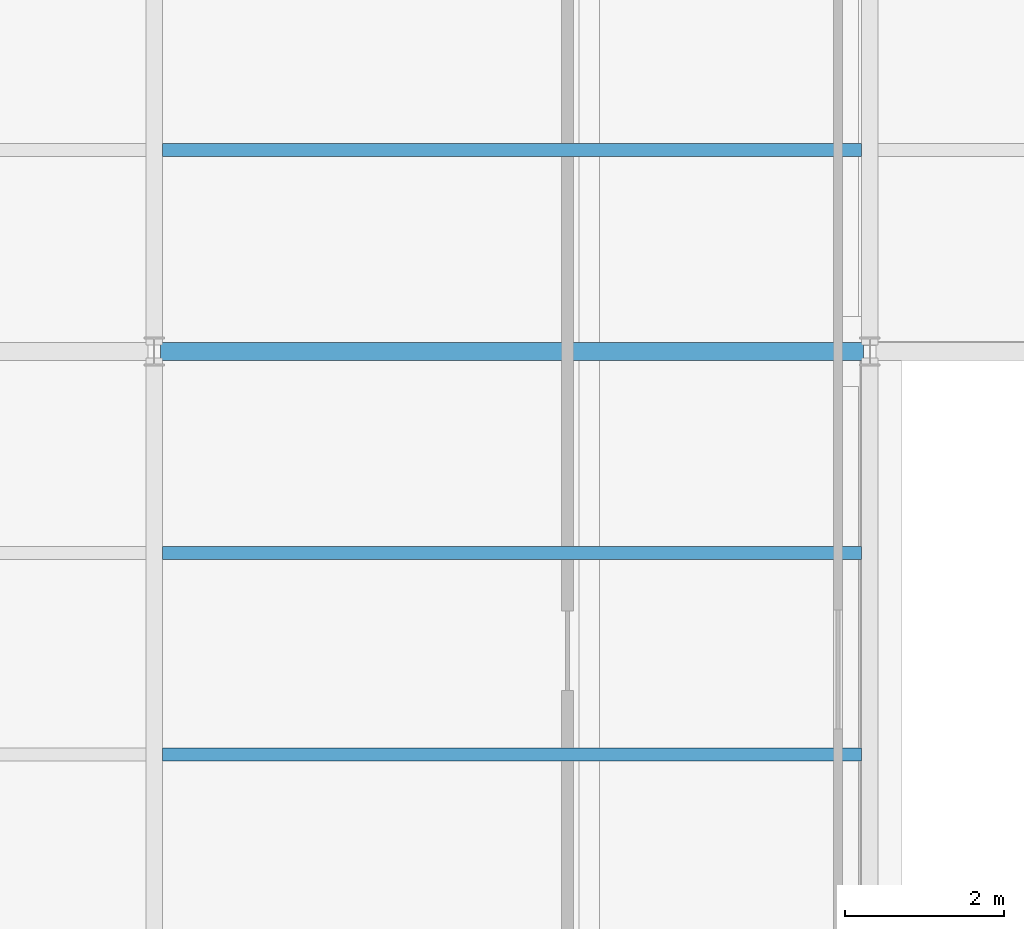
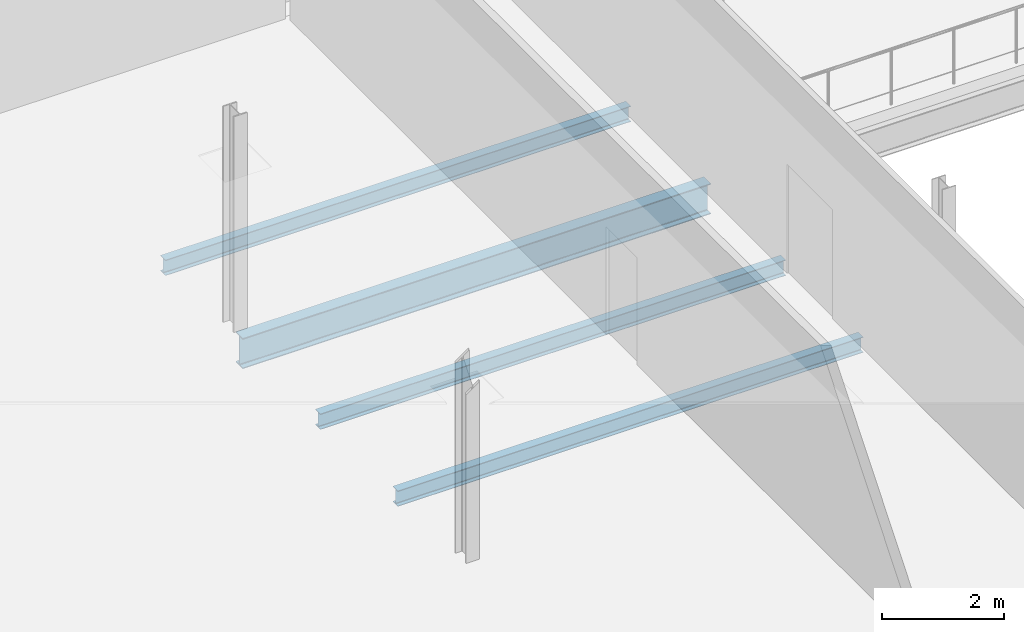
# One storey, part 41 of 174: 4 beams.
"""IFC4 building model written with IfcOpenShell, lengths in metres."""

from ifc_helpers import new_model, si_unit, direction, frame, origin, origin_2d, place, context, subcontext, project, spatial, i_section, extrude, material, material_profile, profile_set, type_object, element, save


model = new_model("IFC4")

# Units and contexts
model_context = context("Model", 3, precision=1e-05, world=origin(), true_north=direction((0.0, 1.0)))
body_context = subcontext(model_context, "Body", "Model", "MODEL_VIEW")
ifc_project = project(units=[si_unit("LENGTHUNIT", "METRE"), si_unit("AREAUNIT", "SQUARE_METRE"), si_unit("VOLUMEUNIT", "CUBIC_METRE"), si_unit("PLANEANGLEUNIT", "RADIAN"), si_unit("MASSUNIT", "GRAM", prefix="KILO")], contexts=[model_context])

# Site, building, storey
site_placement = place(None, origin())
site = spatial("IfcSite", under=ifc_project, at=site_placement, CompositionType="ELEMENT")
building_placement = place(site_placement, origin())
building = spatial("IfcBuilding", under=site, at=building_placement, Name="Caisbarro Railhouse Central Library", CompositionType="ELEMENT")
storey_placement = place(building_placement, frame((0.0, 0.0, 5.0400390625)))
storey = spatial("IfcBuildingStorey", under=building, at=storey_placement, Name="L01", CompositionType="ELEMENT", Elevation=5.0400390625)

# Beams
ifc_material = material(Name="Steel ASTM A572 Grade 50", Category="steel")
ifc_material_profile_1 = material_profile(ifc_material, i_section(OverallWidth=0.22802734375, OverallDepth=0.60791015625, WebThickness=0.01123046875, FlangeThickness=0.017333984375, FilletRadius=0.02197265625, at=origin_2d()), Name="W610X113.0")
ifc_profile_set_1 = profile_set([ifc_material_profile_1], Name="Steel ASTM A572 Grade 50")
beam_type_1 = type_object("IfcBeamType", Name="BM-G04", PredefinedType="BEAM", material=ifc_profile_set_1)
beam_placement = place(storey_placement, frame((9.080078125, 53.199951171875, -0.52392578125), z_axis=(1.0, 0.0, 0.0), x_axis=(0.0, 1.0, 0.0)))
element("IfcBeam", 1, at=beam_placement, inside=storey, type_object=beam_type_1, Name="G04 beam L01 #810", PredefinedType="BEAM", context=body_context, shape_type="SweptSolid", body=[
    extrude(i_section(OverallWidth=0.22802734375, OverallDepth=0.60791015625, WebThickness=0.01123046875, FlangeThickness=0.017333984375, FilletRadius=0.02197265625, at=origin_2d()), origin(), (0.0, 0.0, 1.0), 8.83984375),
])
ifc_material_profile_2 = material_profile(ifc_material, i_section(OverallWidth=0.1650390625, OverallDepth=0.31005859375, WebThickness=0.005859375, FlangeThickness=0.009765625, FilletRadius=0.011962890625, at=origin_2d()), Name="W310X38.7")
ifc_profile_set_2 = profile_set([ifc_material_profile_2], Name="Steel ASTM A572 Grade 50")
beam_type_2 = type_object("IfcBeamType", Name="BM-J03", PredefinedType="JOIST", material=ifc_profile_set_2)
for number, where, z_axis, x_axis, name in (
    (2, (9.1044921875, 48.13330078125, -0.375), (1.0, 0.0, 0.0), (0.0, 1.0, 0.0), "J03 beam L01 #867"),
    (3, (9.1044921875, 50.666748046875, -0.375), (1.0, 0.0, 0.0), (0.0, 1.0, 0.0), "J03 beam L01 #868"),
    (4, (9.1044921875, 55.7333984375, -0.375), (1.0, 0.0, 0.0), (0.0, 1.0, 0.0), "J03 beam L01 #869"),
):
    element("IfcBeam", number, at=place(storey_placement, frame(where, z_axis=z_axis, x_axis=x_axis)), inside=storey, type_object=beam_type_2, Name=name, PredefinedType="JOIST", context=body_context, shape_type="SweptSolid", body=[
        extrude(i_section(OverallWidth=0.1650390625, OverallDepth=0.31005859375, WebThickness=0.005859375, FlangeThickness=0.009765625, FilletRadius=0.011962890625, at=origin_2d()), origin(), (0.0, 0.0, 1.0), 8.791015625),
    ])

save(model, "model.ifc")
